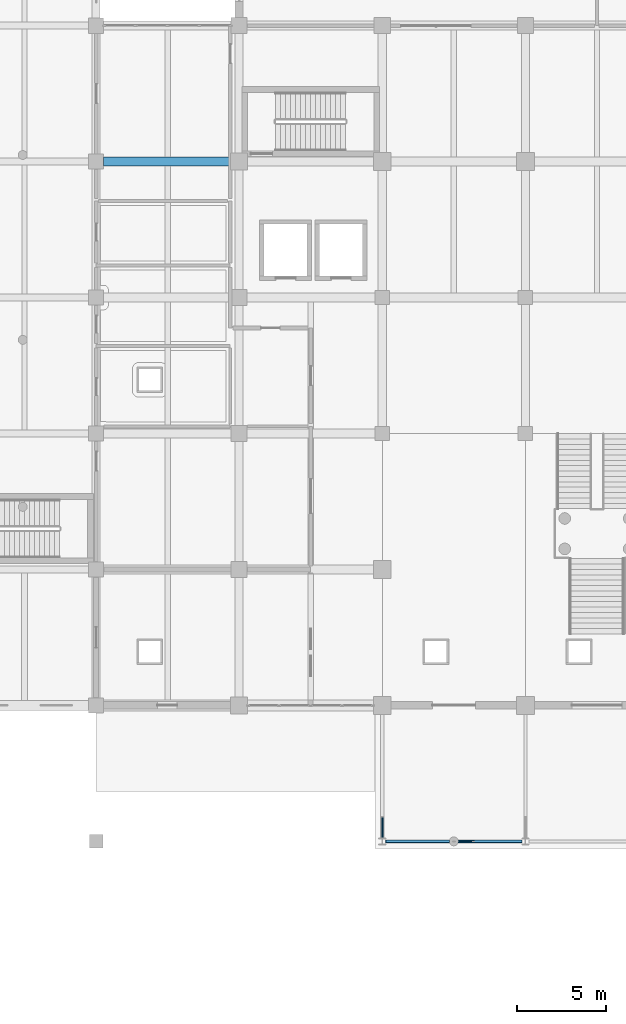
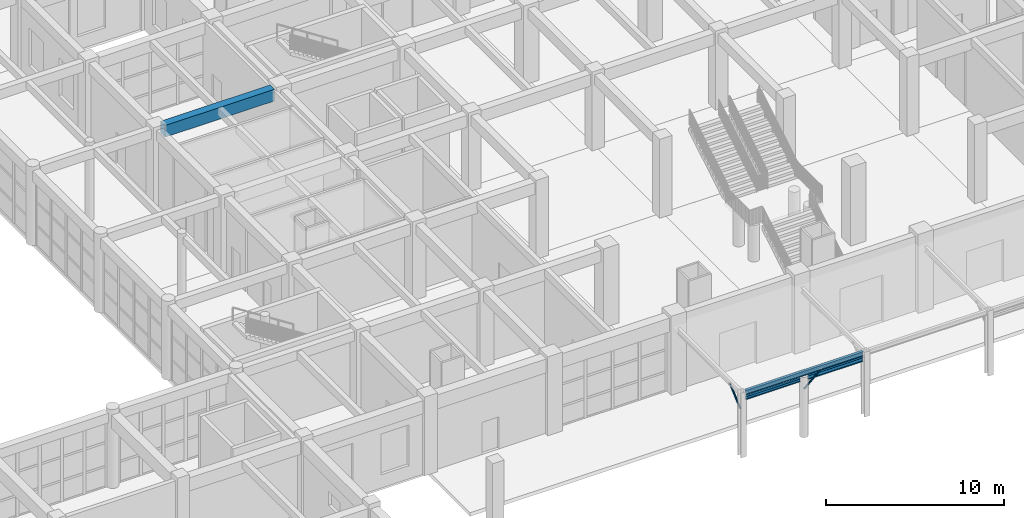
# One storey, part 28 of 95: 4 beams, 2 members.
"""IFC4 building model written with IfcOpenShell, lengths in metres."""

from ifc_helpers import new_model, si_unit, direction, frame, origin, origin_2d, place, context, subcontext, project, spatial, rectangle, hollow_circle, i_section, extrude, material, material_profile, profile_set, type_object, element, save


model = new_model("IFC4")

# Units and contexts
model_context = context("Model", 3, precision=1e-05, world=origin(), true_north=direction((0.0, 1.0)))
body_context = subcontext(model_context, "Body", "Model", "MODEL_VIEW")
ifc_project = project(units=[si_unit("LENGTHUNIT", "METRE"), si_unit("AREAUNIT", "SQUARE_METRE"), si_unit("VOLUMEUNIT", "CUBIC_METRE"), si_unit("PLANEANGLEUNIT", "RADIAN"), si_unit("MASSUNIT", "GRAM", prefix="KILO")], contexts=[model_context])

# Site, building, storey
site_placement = place(None, origin())
site = spatial("IfcSite", under=ifc_project, at=site_placement, CompositionType="ELEMENT")
building_placement = place(site_placement, origin())
building = spatial("IfcBuilding", under=site, at=building_placement, Name="Zantavel Square City Hall", CompositionType="ELEMENT")
storey_placement = place(building_placement, origin())
storey = spatial("IfcBuildingStorey", under=building, at=storey_placement, Name="L01", CompositionType="ELEMENT", Elevation=0.0)

# Beam
ifc_material_1 = material(Name="Steel ASTM A992 Grade 50", Category="steel")
ifc_material_profile_1 = material_profile(ifc_material_1, i_section(OverallWidth=0.166015625, OverallDepth=0.31298828125, WebThickness=0.006591796875, FlangeThickness=0.01123046875, at=origin_2d()), Name="W310x45")
ifc_profile_set_1 = profile_set([ifc_material_profile_1], Name="Steel ASTM A992 Grade 50")
beam_type_1 = type_object("IfcBeamType", Name="Canopy Secondary Joist W310x45", PredefinedType="JOIST", material=ifc_profile_set_1)
beam_1_placement = place(storey_placement, frame((72.18994140625, 22.800048828125, 4.283447265625), z_axis=(1.0, 0.0, 0.0), x_axis=(0.0, 1.0, 0.0)))
element("IfcBeam", 1, at=beam_1_placement, inside=storey, type_object=beam_type_1, Name="Canopy Front Beam 72-80", PredefinedType="JOIST", context=body_context, shape_type="SweptSolid", body=[
    extrude(i_section(OverallWidth=0.166015625, OverallDepth=0.31298828125, WebThickness=0.006591796875, FlangeThickness=0.01123046875, at=origin_2d()), origin(), (0.0, 0.0, 1.0), 7.6201171875),
])

# Members
ifc_material_2 = material(Name="Steel ASTM A500 Grade B", Category="steel")
ifc_material_profile_2 = material_profile(ifc_material_2, hollow_circle(Radius=0.05712890625, WallThickness=0.006103515625, at=origin_2d()), Name="CHS 114.3x6.0")
ifc_profile_set_2 = profile_set([ifc_material_profile_2], Name="Steel ASTM A500 Grade B")
member_type = type_object("IfcMemberType", Name="Canopy Tie Strut CHS 114.3x6.0", PredefinedType="STRUT", material=ifc_profile_set_2)
member_1_placement = place(storey_placement, frame((72.0, 22.989990234375, 3.10009765625), z_axis=(0.0, 0.749372767205, 0.662148363866), x_axis=(-1.0, 0.0, 0.0)))
element("IfcMember", 2, at=member_1_placement, inside=storey, type_object=member_type, Name="Canopy Knee Brace Strut 72", PredefinedType="STRUT", context=body_context, shape_type="SweptSolid", body=[
    extrude(hollow_circle(Radius=0.05712890625, WallThickness=0.006103515625, at=origin_2d()), origin(), (0.0, 0.0, 1.0), 1.5478515625),
])
member_2_placement = place(storey_placement, frame((76.0, 22.800048828125, 3.14990234375), z_axis=(0.737602435988, 0.0, 0.675235252652), x_axis=(0.0, 1.0, 0.0)))
element("IfcMember", 3, at=member_2_placement, inside=storey, type_object=member_type, Name="Portico Knee Strut 76", PredefinedType="STRUT", context=body_context, shape_type="SweptSolid", body=[
    extrude(hollow_circle(Radius=0.05712890625, WallThickness=0.006103515625, at=origin_2d()), origin(), (0.0, 0.0, 1.0), 1.491455078125),
])

# Beams
ifc_material_profile_3 = material_profile(ifc_material_1, i_section(OverallWidth=0.133056640625, OverallDepth=0.20703125, WebThickness=0.005859375, FlangeThickness=0.00830078125, at=origin_2d()), Name="W200x27")
ifc_profile_set_3 = profile_set([ifc_material_profile_3], Name="Steel ASTM A992 Grade 50")
beam_type_2 = type_object("IfcBeamType", Name="Canopy Trim Beam W200x27", PredefinedType="BEAM", material=ifc_profile_set_3)
beam_2_placement = place(storey_placement, frame((72.199951171875, 22.800048828125, 3.889892578125), z_axis=(1.0, 0.0, 0.0), x_axis=(0.0, 1.0, 0.0)))
element("IfcBeam", 4, at=beam_2_placement, inside=storey, type_object=beam_type_2, Name="Canopy Edge Trim Beam 76", PredefinedType="BEAM", context=body_context, shape_type="SweptSolid", body=[
    extrude(i_section(OverallWidth=0.133056640625, OverallDepth=0.20703125, WebThickness=0.005859375, FlangeThickness=0.00830078125, at=origin_2d()), origin(), (0.0, 0.0, 1.0), 3.550048828125),
])
ifc_material_3 = material(Name="Concrete C35/45", Category="concrete")
ifc_material_profile_4 = material_profile(ifc_material_3, rectangle(XDim=0.5, YDim=0.800048828125, at=origin_2d()), Name="RC 500x800")
ifc_profile_set_4 = profile_set([ifc_material_profile_4], Name="Concrete C35/45")
beam_type_3 = type_object("IfcBeamType", Name="Primary Girder RC 500x800 C35/45", PredefinedType="BEAM", material=ifc_profile_set_4)
beam_3_placement = place(storey_placement, frame((56.425048828125, 60.800048828125, 4.760009765625), z_axis=(1.0, 0.0, 0.0), x_axis=(0.0, 1.0, 0.0)))
element("IfcBeam", 5, at=beam_3_placement, inside=storey, type_object=beam_type_3, Name="L01 Girder BMX-L01-0560-0608", PredefinedType="BEAM", context=body_context, shape_type="SweptSolid", body=[
    extrude(rectangle(XDim=0.5, YDim=0.800048828125, at=origin_2d()), origin(), (0.0, 0.0, 1.0), 7.099853515625),
])
ifc_material_profile_5 = material_profile(ifc_material_1, i_section(OverallWidth=0.14599609375, OverallDepth=0.258056640625, WebThickness=0.006103515625, FlangeThickness=0.009033203125, at=origin_2d()), Name="W250x33")
ifc_profile_set_5 = profile_set([ifc_material_profile_5], Name="Steel ASTM A992 Grade 50")
beam_type_4 = type_object("IfcBeamType", Name="Terrace Stair Stringer W250x33", PredefinedType="BEAM", material=ifc_profile_set_5)
beam_4_placement = place(storey_placement, frame((76.25, 22.800048828125, 3.889892578125), z_axis=(1.0, 0.0, 0.0), x_axis=(0.0, 1.0, 0.0)))
element("IfcBeam", 6, at=beam_4_placement, inside=storey, type_object=beam_type_4, Name="Canopy Portico Fascia Beam 76", PredefinedType="BEAM", context=body_context, shape_type="SweptSolid", body=[
    extrude(i_section(OverallWidth=0.14599609375, OverallDepth=0.258056640625, WebThickness=0.006103515625, FlangeThickness=0.009033203125, at=origin_2d()), origin(), (0.0, 0.0, 1.0), 3.550048828125),
])

save(model, "model.ifc")
